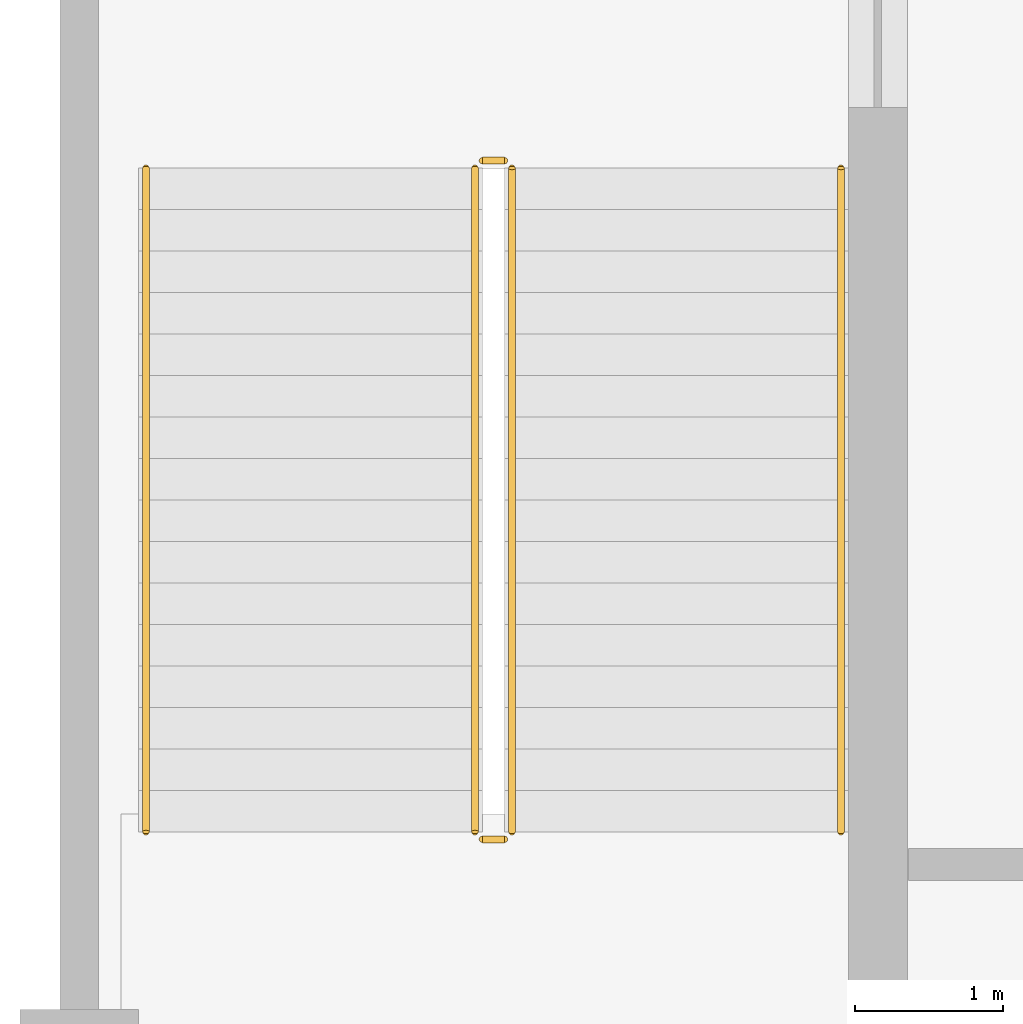
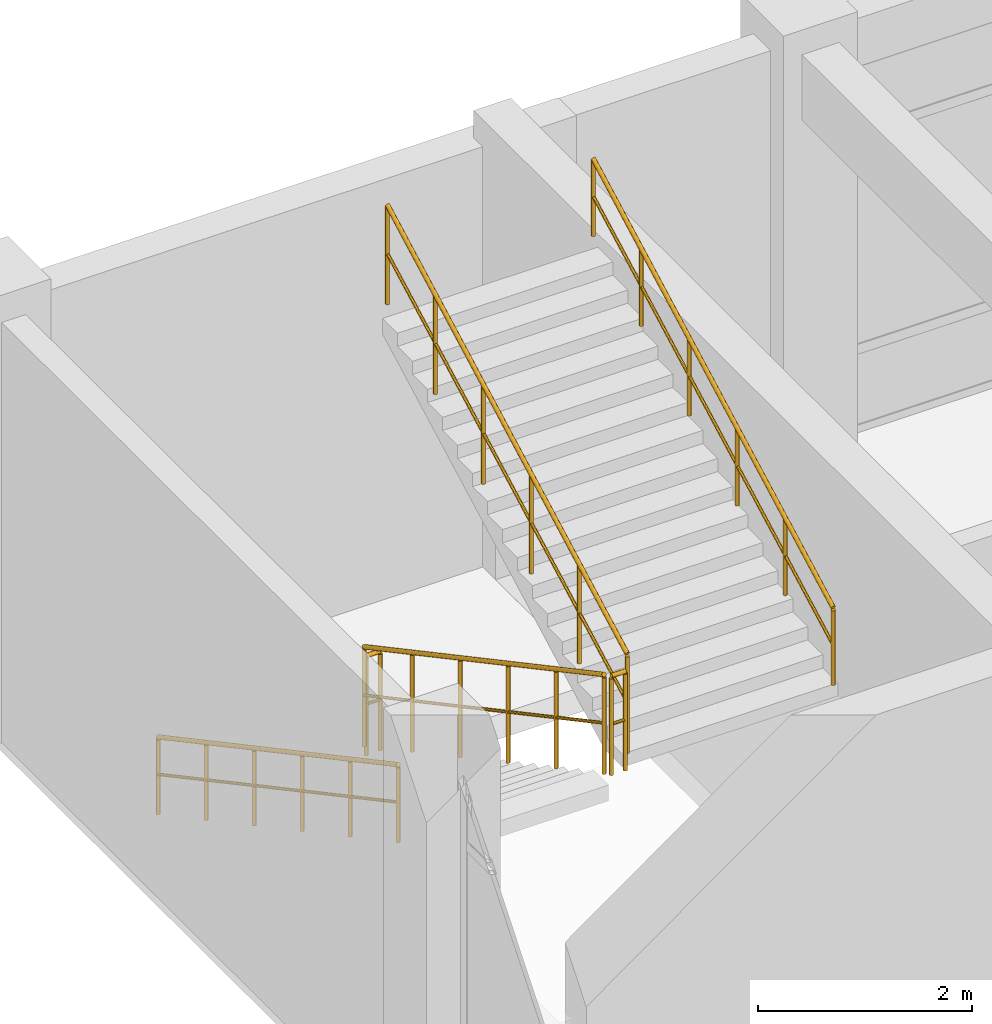
# One storey, part 87 of 96: 6 railings.
"""IFC4 building model written with IfcOpenShell, lengths in metres."""

from ifc_helpers import new_model, si_unit, derived_unit, direction, frame, origin, origin_2d, place, context, subcontext, project, spatial, circle, extrude, material, type_object, element, save


model = new_model("IFC4")

# Units and contexts
model_context = context("Model", 3, precision=1e-05, world=origin(), true_north=direction((0.0, 1.0)))
body_context = subcontext(model_context, "Body", "Model", "MODEL_VIEW")
ifc_project = project(units=[si_unit("LENGTHUNIT", "METRE"), si_unit("AREAUNIT", "SQUARE_METRE"), si_unit("VOLUMEUNIT", "CUBIC_METRE"), si_unit("PLANEANGLEUNIT", "RADIAN"), si_unit("MASSUNIT", "GRAM", prefix="KILO"), derived_unit("THERMALTRANSMITTANCEUNIT", [(si_unit("MASSUNIT", "GRAM", prefix="KILO"), 1), (si_unit("TIMEUNIT", "SECOND"), -3), (si_unit("THERMODYNAMICTEMPERATUREUNIT", "KELVIN"), -1)])], contexts=[model_context])

# Site, building, storey
site_placement = place(None, origin())
site = spatial("IfcSite", under=ifc_project, at=site_placement, CompositionType="ELEMENT")
building_placement = place(site_placement, origin())
building = spatial("IfcBuilding", under=site, at=building_placement, Name="Qinzheling Arcade Emporium", CompositionType="ELEMENT")
storey_placement = place(building_placement, frame((0.0, 0.0, 21.60009765625)))
storey = spatial("IfcBuildingStorey", under=building, at=storey_placement, Name="L05", CompositionType="ELEMENT", Elevation=21.60009765625)

# Railings
ifc_material_1 = material(Name="Galvanised powder-coated tubular steel", Category="steel")
railing_type_1 = type_object("IfcRailingType", Name="Painted Steel Stairwell Guard Railing 1150", PredefinedType="GUARDRAIL", material=ifc_material_1)
railing_1_placement = place(storey_placement, frame((2.669921875, 39.679931640625, 0.14990234375)))
element("IfcRailing", 1, at=railing_1_placement, inside=storey, type_object=railing_type_1, Name="L05 ST02 stair guard 1", PredefinedType="GUARDRAIL", context=body_context, shape_type="SweptSolid", body=[
    extrude(circle(Radius=0.02392578125, at=origin_2d()), frame((0.0, 0.0, 1.1259765625), z_axis=(0.0, -0.881487111273, 0.472208081951), x_axis=(1.0, 0.0, 0.0)), (0.0, 0.0, 1.0), 5.082275390625),
    extrude(circle(Radius=0.01611328125, at=origin_2d()), frame((0.0, 0.0, 0.574951171875), z_axis=(0.0, -0.881487111273, 0.472208081951), x_axis=(1.0, 0.0, 0.0)), (0.0, 0.0, 1.0), 5.082275390625),
    extrude(circle(Radius=0.02099609375, at=origin_2d()), origin(), (0.0, 0.0, 1.0), 1.101806640625),
    extrude(circle(Radius=0.02099609375, at=origin_2d()), frame((0.0, -0.89599609375, 0.47998046875)), (0.0, 0.0, 1.0), 1.101806640625),
    extrude(circle(Radius=0.02099609375, at=origin_2d()), frame((0.0, -1.7919921875, 0.9599609375)), (0.0, 0.0, 1.0), 1.101806640625),
    extrude(circle(Radius=0.02099609375, at=origin_2d()), frame((0.0, -2.68798828125, 1.43994140625)), (0.0, 0.0, 1.0), 1.101806640625),
    extrude(circle(Radius=0.02099609375, at=origin_2d()), frame((0.0, -3.583984375, 1.919921875)), (0.0, 0.0, 1.0), 1.101806640625),
    extrude(circle(Radius=0.02099609375, at=origin_2d()), frame((0.0, -4.47998046875, 2.39990234375)), (0.0, 0.0, 1.0), 1.101806640625),
])
railing_2_placement = place(storey_placement, frame((2.719970703125, 35.14990234375, 2.5498046875)))
element("IfcRailing", 2, at=railing_2_placement, inside=storey, type_object=railing_type_1, Name="L05 ST02 stair guard 2", PredefinedType="GUARDRAIL", context=body_context, shape_type="SweptSolid", body=[
    extrude(circle(Radius=0.02392578125, at=origin_2d()), frame((0.0, 0.0, 1.1259765625), z_axis=(1.0, 0.0, 0.0), x_axis=(0.0, 1.0, 0.0)), (0.0, 0.0, 1.0), 0.150146484375),
    extrude(circle(Radius=0.01611328125, at=origin_2d()), frame((0.0, 0.0, 0.574951171875), z_axis=(1.0, 0.0, 0.0), x_axis=(0.0, 1.0, 0.0)), (0.0, 0.0, 1.0), 0.150146484375),
    extrude(circle(Radius=0.02099609375, at=origin_2d()), origin(), (0.0, 0.0, 1.0), 1.101806640625),
    extrude(circle(Radius=0.02099609375, at=origin_2d()), frame((0.150146484375, 0.0, 0.0)), (0.0, 0.0, 1.0), 1.101806640625),
])
railing_3_placement = place(storey_placement, frame((2.919921875, 35.199951171875, 2.699951171875)))
element("IfcRailing", 3, at=railing_3_placement, inside=storey, type_object=railing_type_1, Name="L05 ST02 stair guard 3", PredefinedType="GUARDRAIL", context=body_context, shape_type="SweptSolid", body=[
    extrude(circle(Radius=0.02392578125, at=origin_2d()), frame((0.0, 0.0, 1.1259765625), z_axis=(0.0, 0.881487111273, 0.472208081951), x_axis=(-1.0, 0.0, 0.0)), (0.0, 0.0, 1.0), 5.082275390625),
    extrude(circle(Radius=0.01611328125, at=origin_2d()), frame((0.0, 0.0, 0.574951171875), z_axis=(0.0, 0.881487111273, 0.472208081951), x_axis=(-1.0, 0.0, 0.0)), (0.0, 0.0, 1.0), 5.082275390625),
    extrude(circle(Radius=0.02099609375, at=origin_2d()), origin(), (0.0, 0.0, 1.0), 1.101806640625),
    extrude(circle(Radius=0.02099609375, at=origin_2d()), frame((0.0, 0.89599609375, 0.47998046875)), (0.0, 0.0, 1.0), 1.101806640625),
    extrude(circle(Radius=0.02099609375, at=origin_2d()), frame((0.0, 1.7919921875, 0.9599609375)), (0.0, 0.0, 1.0), 1.101806640625),
    extrude(circle(Radius=0.02099609375, at=origin_2d()), frame((0.0, 2.68798828125, 1.43994140625)), (0.0, 0.0, 1.0), 1.101806640625),
    extrude(circle(Radius=0.02099609375, at=origin_2d()), frame((0.0, 3.583984375, 1.919921875)), (0.0, 0.0, 1.0), 1.101806640625),
    extrude(circle(Radius=0.02099609375, at=origin_2d()), frame((0.0, 4.47998046875, 2.39990234375)), (0.0, 0.0, 1.0), 1.101806640625),
])
railing_4_placement = place(storey_placement, frame((2.719970703125, 39.72998046875, 0.0)))
element("IfcRailing", 4, at=railing_4_placement, inside=storey, type_object=railing_type_1, Name="L05 ST02 stair guard 4", PredefinedType="GUARDRAIL", context=body_context, shape_type="SweptSolid", body=[
    extrude(circle(Radius=0.02392578125, at=origin_2d()), frame((0.0, 0.0, 1.1259765625), z_axis=(1.0, 0.0, 0.0), x_axis=(0.0, 1.0, 0.0)), (0.0, 0.0, 1.0), 0.150146484375),
    extrude(circle(Radius=0.01611328125, at=origin_2d()), frame((0.0, 0.0, 0.574951171875), z_axis=(1.0, 0.0, 0.0), x_axis=(0.0, 1.0, 0.0)), (0.0, 0.0, 1.0), 0.150146484375),
    extrude(circle(Radius=0.02099609375, at=origin_2d()), origin(), (0.0, 0.0, 1.0), 1.101806640625),
    extrude(circle(Radius=0.02099609375, at=origin_2d()), frame((0.150146484375, 0.0, 0.0)), (0.0, 0.0, 1.0), 1.101806640625),
])
ifc_material_2 = material(Name="Brushed stainless steel 304", Category="steel")
railing_type_2 = type_object("IfcRailingType", Name="Stainless Steel Wall Handrail 900", PredefinedType="HANDRAIL", material=ifc_material_2)
railing_5_placement = place(storey_placement, frame((0.449951171875, 39.679931640625, 0.14990234375)))
element("IfcRailing", 5, at=railing_5_placement, inside=storey, type_object=railing_type_2, Name="L05 ST02 stair handrail 1", PredefinedType="HANDRAIL", context=body_context, shape_type="SweptSolid", body=[
    extrude(circle(Radius=0.02392578125, at=origin_2d()), frame((0.0, 0.0, 0.8759765625), z_axis=(0.0, -0.881487111273, 0.472208081951), x_axis=(1.0, 0.0, 0.0)), (0.0, 0.0, 1.0), 5.082275390625),
    extrude(circle(Radius=0.01611328125, at=origin_2d()), frame((0.0, 0.0, 0.449951171875), z_axis=(0.0, -0.881487111273, 0.472208081951), x_axis=(1.0, 0.0, 0.0)), (0.0, 0.0, 1.0), 5.082275390625),
    extrude(circle(Radius=0.02099609375, at=origin_2d()), origin(), (0.0, 0.0, 1.0), 0.851806640625),
    extrude(circle(Radius=0.02099609375, at=origin_2d()), frame((0.0, -0.89599609375, 0.47998046875)), (0.0, 0.0, 1.0), 0.851806640625),
    extrude(circle(Radius=0.02099609375, at=origin_2d()), frame((0.0, -1.7919921875, 0.9599609375)), (0.0, 0.0, 1.0), 0.851806640625),
    extrude(circle(Radius=0.02099609375, at=origin_2d()), frame((0.0, -2.68798828125, 1.43994140625)), (0.0, 0.0, 1.0), 0.851806640625),
    extrude(circle(Radius=0.02099609375, at=origin_2d()), frame((0.0, -3.583984375, 1.919921875)), (0.0, 0.0, 1.0), 0.851806640625),
    extrude(circle(Radius=0.02099609375, at=origin_2d()), frame((0.0, -4.47998046875, 2.39990234375)), (0.0, 0.0, 1.0), 0.851806640625),
])
railing_6_placement = place(storey_placement, frame((5.139892578125, 35.199951171875, 2.699951171875)))
element("IfcRailing", 6, at=railing_6_placement, inside=storey, type_object=railing_type_2, Name="L05 ST02 stair handrail 2", PredefinedType="HANDRAIL", context=body_context, shape_type="SweptSolid", body=[
    extrude(circle(Radius=0.02392578125, at=origin_2d()), frame((0.0, 0.0, 0.8759765625), z_axis=(0.0, 0.881487111273, 0.472208081951), x_axis=(-1.0, 0.0, 0.0)), (0.0, 0.0, 1.0), 5.082275390625),
    extrude(circle(Radius=0.01611328125, at=origin_2d()), frame((0.0, 0.0, 0.449951171875), z_axis=(0.0, 0.881487111273, 0.472208081951), x_axis=(-1.0, 0.0, 0.0)), (0.0, 0.0, 1.0), 5.082275390625),
    extrude(circle(Radius=0.02099609375, at=origin_2d()), origin(), (0.0, 0.0, 1.0), 0.851806640625),
    extrude(circle(Radius=0.02099609375, at=origin_2d()), frame((0.0, 0.89599609375, 0.47998046875)), (0.0, 0.0, 1.0), 0.851806640625),
    extrude(circle(Radius=0.02099609375, at=origin_2d()), frame((0.0, 1.7919921875, 0.9599609375)), (0.0, 0.0, 1.0), 0.851806640625),
    extrude(circle(Radius=0.02099609375, at=origin_2d()), frame((0.0, 2.68798828125, 1.43994140625)), (0.0, 0.0, 1.0), 0.851806640625),
    extrude(circle(Radius=0.02099609375, at=origin_2d()), frame((0.0, 3.583984375, 1.919921875)), (0.0, 0.0, 1.0), 0.851806640625),
    extrude(circle(Radius=0.02099609375, at=origin_2d()), frame((0.0, 4.47998046875, 2.39990234375)), (0.0, 0.0, 1.0), 0.851806640625),
])

save(model, "model.ifc")
